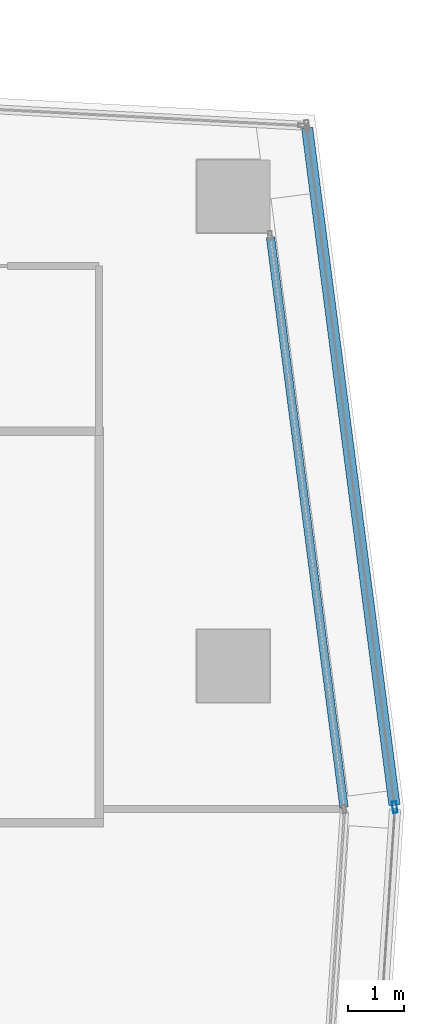
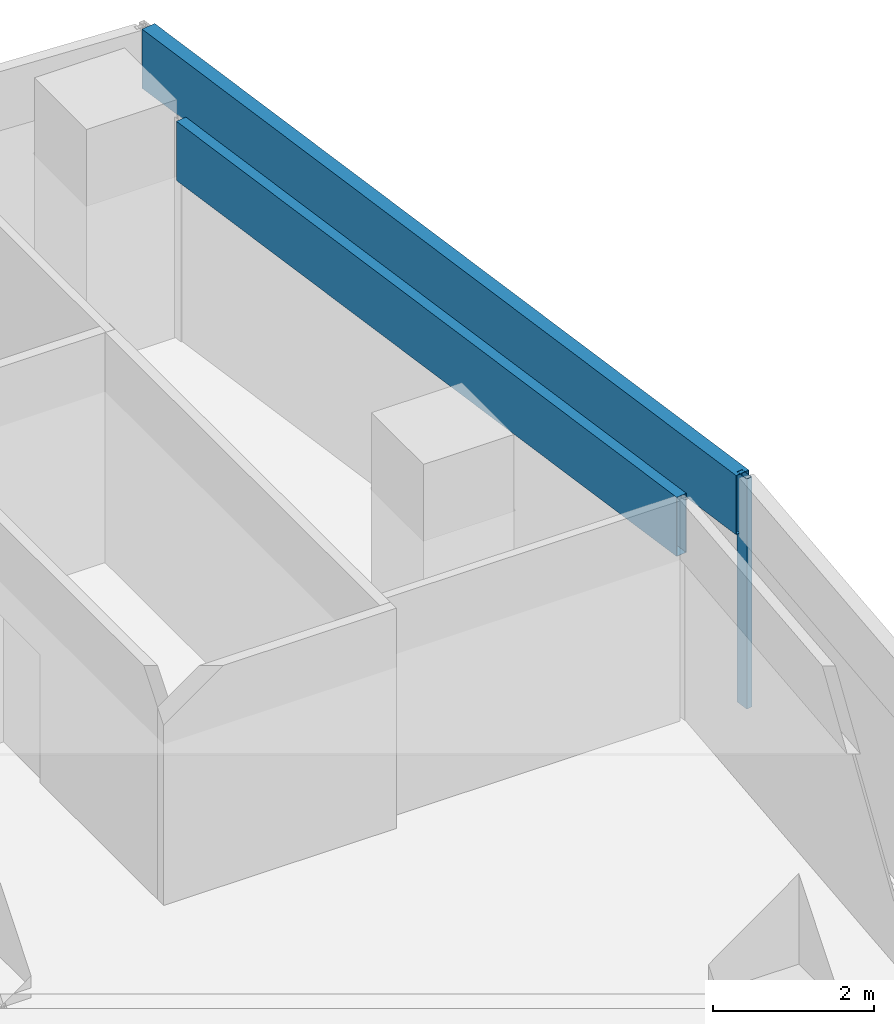
# One storey, part 14 of 30: 3 members, 2 elements without a shape of their own.
"""IFC4 building model written with IfcOpenShell, lengths in metres."""

from ifc_helpers import new_model, si_unit, direction, frame, origin, origin_2d, place, context, subcontext, project, spatial, hollow_rectangle, extrude, material, material_profile, profile_set, type_object, element, aggregate, save


model = new_model("IFC4")

# Units and contexts
model_context = context("Model", 3, precision=1e-05, world=origin(), true_north=direction((0.0, 1.0)))
body_context = subcontext(model_context, "Body", "Model", "MODEL_VIEW")
ifc_project = project(units=[si_unit("LENGTHUNIT", "METRE"), si_unit("AREAUNIT", "SQUARE_METRE"), si_unit("VOLUMEUNIT", "CUBIC_METRE"), si_unit("PLANEANGLEUNIT", "RADIAN"), si_unit("MASSUNIT", "GRAM", prefix="KILO")], contexts=[model_context])

# Site, building, storey
site_placement = place(None, origin())
site = spatial("IfcSite", under=ifc_project, at=site_placement, CompositionType="ELEMENT")
building_placement = place(site_placement, origin())
building = spatial("IfcBuilding", under=site, at=building_placement, Name="Rekha Terrace Tower", CompositionType="ELEMENT")
storey_placement = place(building_placement, frame((0.0, 0.0, 265.10009765625)))
storey = spatial("IfcBuildingStorey", under=building, at=storey_placement, Name="L67", CompositionType="ELEMENT", Elevation=265.10009765625)

# Curtain wall, member
ifc_material_1 = material(Name="Aluminium framing", Category="aluminium")
curtain_wall_type_1 = type_object("IfcCurtainWallType", Name="CW1 double skin inner glazing", PredefinedType="USERDEFINED", material=ifc_material_1)
curtain_wall_1_placement = place(storey_placement, origin())
curtain_wall_1 = element("IfcCurtainWall", 1, at=curtain_wall_1_placement, inside=storey, type_object=curtain_wall_type_1, Name="CW1 double skin inner glazing", ObjectType="DOUBLE SKIN INNER GLAZING", PredefinedType="USERDEFINED")
ifc_material_2 = material(Name="Insulated aluminium spandrel box", Category="aluminium")
ifc_material_profile_1 = material_profile(ifc_material_2, hollow_rectangle(XDim=0.14990234375, YDim=0.89990234375, WallThickness=0.0029296875, at=origin_2d()), Name="AL SPANDREL BOX 150x900")
ifc_profile_set_1 = profile_set([ifc_material_profile_1], Name="Insulated aluminium spandrel box")
member_type_1 = type_object("IfcMemberType", Name="CW1 spandrel transom 150 x 900", PredefinedType="USERDEFINED", material=ifc_profile_set_1)
member_1_placement = place(storey_placement, frame((60.777099609375, 39.471435546875, 3.0498046875), z_axis=(-0.127854523912, 0.991792932378, 0.0), x_axis=(-0.991792932378, -0.127854523912, 0.0)))
member_1 = element("IfcMember", 2, at=member_1_placement, type_object=member_type_1, Name="CW1 spandrel transom 1", ObjectType="TRANSOM", PredefinedType="USERDEFINED", context=body_context, shape_type="SweptSolid", body=[
    extrude(hollow_rectangle(XDim=0.14990234375, YDim=0.89990234375, WallThickness=0.0029296875, at=origin_2d()), origin(), (0.0, 0.0, 1.0), 10.279052734375),
])
aggregate(curtain_wall_1, [member_1])

# Curtain wall, members
curtain_wall_type_2 = type_object("IfcCurtainWallType", Name="CW2 double skin outer glazing", PredefinedType="USERDEFINED", material=ifc_material_1)
curtain_wall_2_placement = place(storey_placement, origin())
curtain_wall_2 = element("IfcCurtainWall", 3, at=curtain_wall_2_placement, inside=storey, type_object=curtain_wall_type_2, Name="CW2 double skin outer glazing", ObjectType="DOUBLE SKIN OUTER GLAZING", PredefinedType="USERDEFINED")
ifc_material_3 = material(Name="Aluminium mullion section", Category="aluminium")
ifc_material_profile_2 = material_profile(ifc_material_3, hollow_rectangle(XDim=0.080078125, YDim=0.199951171875, WallThickness=0.00390625, at=origin_2d()), Name="AL RHS 80x200")
ifc_profile_set_2 = profile_set([ifc_material_profile_2], Name="Aluminium mullion section")
member_type_2 = type_object("IfcMemberType", Name="CW2 mullion RHS 80 x 200", PredefinedType="MULLION", material=ifc_profile_set_2)
member_2_placement = place(storey_placement, frame((61.68408203125, 39.474609375, 0.0), z_axis=(0.0, 0.0, 1.0), x_axis=(-0.991790949459, -0.12786990487, 0.0)))
member_2 = element("IfcMember", 4, at=member_2_placement, type_object=member_type_2, Name="CW2 mullion 1", PredefinedType="MULLION", context=body_context, shape_type="SweptSolid", body=[
    extrude(hollow_rectangle(XDim=0.080078125, YDim=0.199951171875, WallThickness=0.00390625, at=origin_2d()), origin(), (0.0, 0.0, 1.0), 3.5),
])
ifc_material_profile_3 = material_profile(ifc_material_2, hollow_rectangle(XDim=0.199951171875, YDim=0.89990234375, WallThickness=0.0029296875, at=origin_2d()), Name="AL SPANDREL BOX 200x900")
ifc_profile_set_3 = profile_set([ifc_material_profile_3], Name="Insulated aluminium spandrel box")
member_type_3 = type_object("IfcMemberType", Name="CW2 spandrel transom 200 x 900", PredefinedType="USERDEFINED", material=ifc_profile_set_3)
member_3_placement = place(storey_placement, frame((61.67919921875, 39.514404296875, 3.0498046875), z_axis=(-0.127874852181, 0.991790311598, 0.0), x_axis=(-0.991790311598, -0.127874852181, 0.0)))
member_3 = element("IfcMember", 5, at=member_3_placement, type_object=member_type_3, Name="CW2 spandrel transom 1", ObjectType="TRANSOM", PredefinedType="USERDEFINED", context=body_context, shape_type="SweptSolid", body=[
    extrude(hollow_rectangle(XDim=0.199951171875, YDim=0.89990234375, WallThickness=0.0029296875, at=origin_2d()), origin(), (0.0, 0.0, 1.0), 12.20361328125),
])
aggregate(curtain_wall_2, [member_2, member_3])

save(model, "model.ifc")
